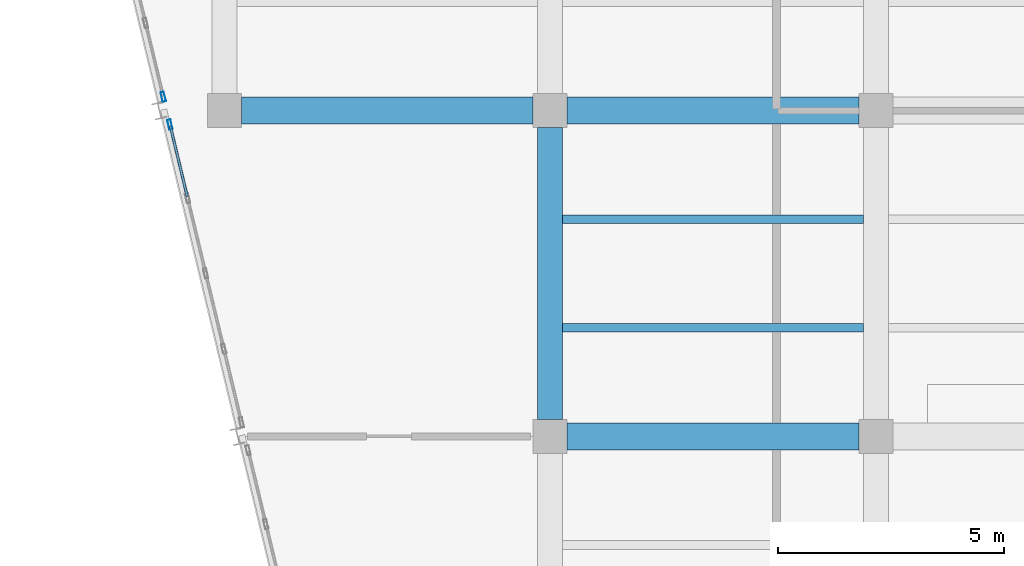
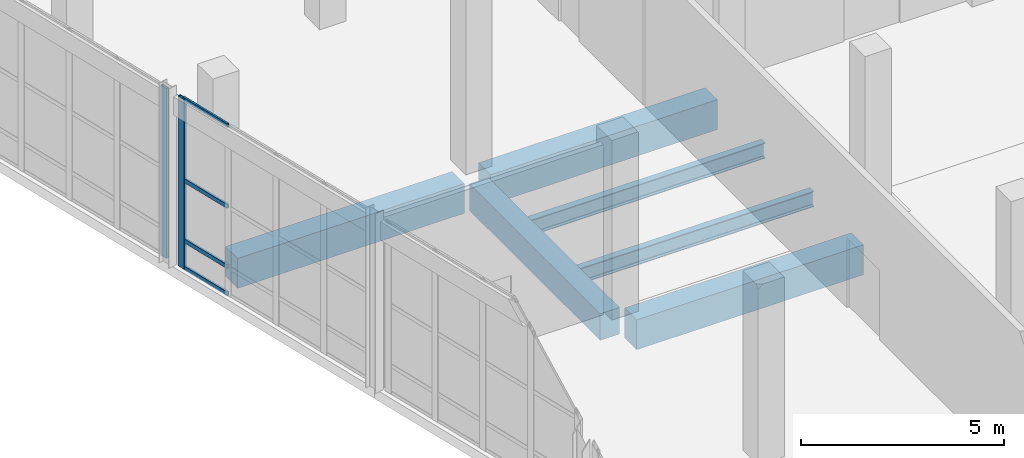
# One storey, part 76 of 137: 6 beams, 6 members, 2 elements without a shape of their own.
"""IFC4 building model written with IfcOpenShell, lengths in metres."""

from ifc_helpers import new_model, si_unit, direction, frame, origin, origin_2d, place, context, subcontext, project, spatial, rectangle, hollow_rectangle, i_section, extrude, material, material_profile, profile_set, type_object, element, aggregate, save


model = new_model("IFC4")

# Units and contexts
model_context = context("Model", 3, precision=1e-05, world=origin(), true_north=direction((0.0, 1.0)))
body_context = subcontext(model_context, "Body", "Model", "MODEL_VIEW")
ifc_project = project(units=[si_unit("LENGTHUNIT", "METRE"), si_unit("AREAUNIT", "SQUARE_METRE"), si_unit("VOLUMEUNIT", "CUBIC_METRE"), si_unit("PLANEANGLEUNIT", "RADIAN"), si_unit("MASSUNIT", "GRAM", prefix="KILO")], contexts=[model_context])

# Site, building, storey
site_placement = place(None, origin())
site = spatial("IfcSite", under=ifc_project, at=site_placement, CompositionType="ELEMENT")
building_placement = place(site_placement, origin())
building = spatial("IfcBuilding", under=site, at=building_placement, Name="Kalmorath City Hall", CompositionType="ELEMENT")
storey_placement = place(building_placement, origin())
storey = spatial("IfcBuildingStorey", under=building, at=storey_placement, Name="L00", CompositionType="ELEMENT", Elevation=0.0)

# Beams
ifc_material_1 = material(Name="Concrete C40/50", Category="concrete")
ifc_material_profile_1 = material_profile(ifc_material_1, rectangle(XDim=0.550048828125, YDim=0.800048828125, at=origin_2d()), Name="RC-BM-550X800")
ifc_profile_set_1 = profile_set([ifc_material_profile_1], Name="Concrete C40/50")
beam_type_1 = type_object("IfcBeamType", Name="Concrete floor girder 550x800", PredefinedType="BEAM", material=ifc_profile_set_1)
beam_placement = place(storey_placement, frame((136.800048828125, 72.375, -0.7041015625), z_axis=(0.0, 1.0, 0.0), x_axis=(-1.0, 0.0, 0.0)))
element("IfcBeam", 1, at=beam_placement, inside=storey, type_object=beam_type_1, Name="L00 girder CB2 Y20/11-12", PredefinedType="BEAM", context=body_context, shape_type="SweptSolid", body=[
    extrude(rectangle(XDim=0.550048828125, YDim=0.800048828125, at=origin_2d()), origin(), (0.0, 0.0, 1.0), 6.449951171875),
])
ifc_material_2 = material(Name="Concrete C40/50", Category="concrete")
ifc_material_profile_2 = material_profile(ifc_material_2, rectangle(XDim=0.60009765625, YDim=0.89990234375, at=origin_2d()), Name="RC-BM-600X900")
ifc_profile_set_2 = profile_set([ifc_material_profile_2], Name="Concrete C40/50")
beam_type_2 = type_object("IfcBeamType", Name="Concrete floor girder 600x900", PredefinedType="BEAM", material=ifc_profile_set_2)
for number, where, z_axis, x_axis, name in (
    (2, (137.175048828125, 72.0, -0.75390625), (1.0, 0.0, 0.0), (0.0, 1.0, 0.0), "L00 girder CB1 X20-21/11"),
    (3, (129.97509765625, 79.199951171875, -0.75390625), (1.0, 0.0, 0.0), (0.0, 1.0, 0.0), "L00 girder CB1 X19-20/12"),
    (4, (137.175048828125, 79.199951171875, -0.75390625), (1.0, 0.0, 0.0), (0.0, 1.0, 0.0), "L00 girder CB1 X20-21/12"),
):
    element("IfcBeam", number, at=place(storey_placement, frame(where, z_axis=z_axis, x_axis=x_axis)), inside=storey, type_object=beam_type_2, Name=name, PredefinedType="BEAM", context=body_context, shape_type="SweptSolid", body=[
        extrude(rectangle(XDim=0.60009765625, YDim=0.89990234375, at=origin_2d()), origin(), (0.0, 0.0, 1.0), 6.449951171875),
    ])

# Curtain wall, members
ifc_material_3 = material(Name="Anodised aluminium and laminated glass", Category="aluminium")
curtain_wall_type = type_object("IfcCurtainWallType", Name="Unitised hurricane curtain wall 6849x5120 M1850", PredefinedType="NOTDEFINED", material=ifc_material_3)
curtain_wall_1_placement = place(storey_placement, origin())
curtain_wall_1 = element("IfcCurtainWall", 5, at=curtain_wall_1_placement, inside=storey, type_object=curtain_wall_type, Name="L00 curtain wall CW-68X51M18 #45", PredefinedType="NOTDEFINED")
ifc_material_4 = material(Name="Anodised aluminium framing", Category="aluminium")
ifc_material_profile_3 = material_profile(ifc_material_4, hollow_rectangle(XDim=0.06005859375, YDim=0.1298828125, WallThickness=0.00341796875, InnerFilletRadius=0.00341796875, OuterFilletRadius=0.007080078125, at=origin_2d()), Name="ALU-TRN-130X60X3.5")
ifc_profile_set_3 = profile_set([ifc_material_profile_3], Name="Anodised aluminium framing")
member_type_1 = type_object("IfcMemberType", Name="Curtain-wall courtyard transom 130x60", PredefinedType="USERDEFINED", material=ifc_profile_set_3)
member_1_placement = place(storey_placement, frame((128.777099609375, 77.301513671875, 0.030029296875), z_axis=(-0.233332550128, 0.972396997656, 0.0), x_axis=(-0.972396997656, -0.233332550128, 0.0)))
member_1 = element("IfcMember", 6, at=member_1_placement, type_object=member_type_1, Name="CW-68X51M18 transom 4.1", ObjectType="TRANSOM", PredefinedType="USERDEFINED", context=body_context, shape_type="SweptSolid", body=[
    extrude(hollow_rectangle(XDim=0.06005859375, YDim=0.1298828125, WallThickness=0.00341796875, InnerFilletRadius=0.00341796875, OuterFilletRadius=0.007080078125, at=origin_2d()), origin(), (0.0, 0.0, 1.0), 1.599853515625),
])
member_2_placement = place(storey_placement, frame((128.777099609375, 77.301513671875, 0.85009765625), z_axis=(-0.233332550128, 0.972396997656, 0.0), x_axis=(-0.972396997656, -0.233332550128, 0.0)))
member_2 = element("IfcMember", 7, at=member_2_placement, type_object=member_type_1, Name="CW-68X51M18 transom 4.2", ObjectType="TRANSOM", PredefinedType="USERDEFINED", context=body_context, shape_type="SweptSolid", body=[
    extrude(hollow_rectangle(XDim=0.06005859375, YDim=0.1298828125, WallThickness=0.00341796875, InnerFilletRadius=0.00341796875, OuterFilletRadius=0.007080078125, at=origin_2d()), origin(), (0.0, 0.0, 1.0), 1.599853515625),
])
member_3_placement = place(storey_placement, frame((128.777099609375, 77.301513671875, 2.662109375), z_axis=(-0.233332550128, 0.972396997656, 0.0), x_axis=(-0.972396997656, -0.233332550128, 0.0)))
member_3 = element("IfcMember", 8, at=member_3_placement, type_object=member_type_1, Name="CW-68X51M18 transom 4.3", ObjectType="TRANSOM", PredefinedType="USERDEFINED", context=body_context, shape_type="SweptSolid", body=[
    extrude(hollow_rectangle(XDim=0.06005859375, YDim=0.1298828125, WallThickness=0.00341796875, InnerFilletRadius=0.00341796875, OuterFilletRadius=0.007080078125, at=origin_2d()), origin(), (0.0, 0.0, 1.0), 1.599853515625),
])
member_4_placement = place(storey_placement, frame((128.777099609375, 77.301513671875, 5.090087890625), z_axis=(-0.233332550128, 0.972396997656, 0.0), x_axis=(-0.972396997656, -0.233332550128, 0.0)))
member_4 = element("IfcMember", 9, at=member_4_placement, type_object=member_type_1, Name="CW-68X51M18 transom 4.4", ObjectType="TRANSOM", PredefinedType="USERDEFINED", context=body_context, shape_type="SweptSolid", body=[
    extrude(hollow_rectangle(XDim=0.06005859375, YDim=0.1298828125, WallThickness=0.00341796875, InnerFilletRadius=0.00341796875, OuterFilletRadius=0.007080078125, at=origin_2d()), origin(), (0.0, 0.0, 1.0), 1.599853515625),
])
ifc_material_5 = material(Name="Anodised aluminium framing", Category="aluminium")
ifc_material_profile_4 = material_profile(ifc_material_5, hollow_rectangle(XDim=0.074951171875, YDim=0.219970703125, WallThickness=0.00390625, InnerFilletRadius=0.00390625, OuterFilletRadius=0.008056640625, at=origin_2d()), Name="ALU-MUL-220X75X4")
ifc_profile_set_4 = profile_set([ifc_material_profile_4], Name="Anodised aluminium framing")
member_type_2 = type_object("IfcMemberType", Name="Curtain-wall primary mullion 220x75", PredefinedType="MULLION", material=ifc_profile_set_4)
member_5_placement = place(storey_placement, frame((128.39501953125, 78.8935546875, 0.0), z_axis=(0.0, 0.0, 1.0), x_axis=(-0.97236741933, -0.233455781305, 0.0)))
member_5 = element("IfcMember", 10, at=member_5_placement, type_object=member_type_2, Name="CW-68X51M18 mullion 5", PredefinedType="MULLION", context=body_context, shape_type="SweptSolid", body=[
    extrude(hollow_rectangle(XDim=0.074951171875, YDim=0.219970703125, WallThickness=0.00390625, InnerFilletRadius=0.00390625, OuterFilletRadius=0.008056640625, at=origin_2d()), origin(), (0.0, 0.0, 1.0), 5.1201171875),
])
aggregate(curtain_wall_1, [member_5, member_1, member_2, member_3, member_4])

# Curtain wall, member
curtain_wall_2_placement = place(storey_placement, origin())
curtain_wall_2 = element("IfcCurtainWall", 11, at=curtain_wall_2_placement, inside=storey, type_object=curtain_wall_type, Name="L00 curtain wall CW-68X51M18 #46", PredefinedType="NOTDEFINED")
member_6_placement = place(storey_placement, frame((128.247802734375, 79.50634765625, 0.0), z_axis=(0.0, 0.0, 1.0), x_axis=(-0.97236741933, -0.233455781305, 0.0)))
member_6 = element("IfcMember", 12, at=member_6_placement, type_object=member_type_2, Name="CW-68X51M18 mullion 1", PredefinedType="MULLION", context=body_context, shape_type="SweptSolid", body=[
    extrude(hollow_rectangle(XDim=0.074951171875, YDim=0.219970703125, WallThickness=0.00390625, InnerFilletRadius=0.00390625, OuterFilletRadius=0.008056640625, at=origin_2d()), origin(), (0.0, 0.0, 1.0), 5.1201171875),
])
aggregate(curtain_wall_2, [member_6])

# Beams
ifc_material_6 = material(Name="Steel ASTM A992 Grade 50", Category="steel")
ifc_material_profile_5 = material_profile(ifc_material_6, i_section(OverallWidth=0.193115234375, OverallDepth=0.466064453125, WebThickness=0.011474609375, FlangeThickness=0.01904296875, FilletRadius=0.013916015625, at=origin_2d()), Name="W18X65")
ifc_profile_set_5 = profile_set([ifc_material_profile_5], Name="Steel ASTM A992 Grade 50")
beam_type_3 = type_object("IfcBeamType", Name="Steel composite joist W18X65", PredefinedType="JOIST", material=ifc_profile_set_5)
for number, where, z_axis, x_axis, name in (
    (13, (137.074951171875, 74.39990234375, -0.537109375), (1.0, 0.0, 0.0), (0.0, 1.0, 0.0), "L00 joist SJ1 20.11.1"),
    (14, (137.074951171875, 76.800048828125, -0.537109375), (1.0, 0.0, 0.0), (0.0, 1.0, 0.0), "L00 joist SJ1 20.11.2"),
):
    element("IfcBeam", number, at=place(storey_placement, frame(where, z_axis=z_axis, x_axis=x_axis)), inside=storey, type_object=beam_type_3, Name=name, PredefinedType="JOIST", context=body_context, shape_type="SweptSolid", body=[
        extrude(i_section(OverallWidth=0.193115234375, OverallDepth=0.466064453125, WebThickness=0.011474609375, FlangeThickness=0.01904296875, FilletRadius=0.013916015625, at=origin_2d()), origin(), (0.0, 0.0, 1.0), 6.650146484375),
    ])

save(model, "model.ifc")
